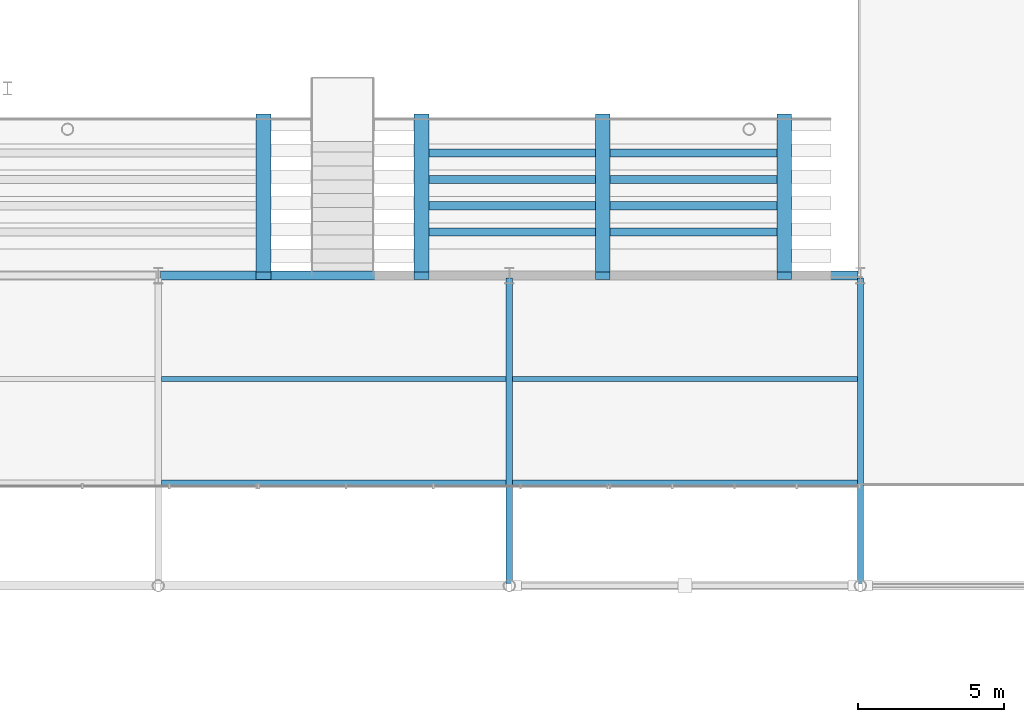
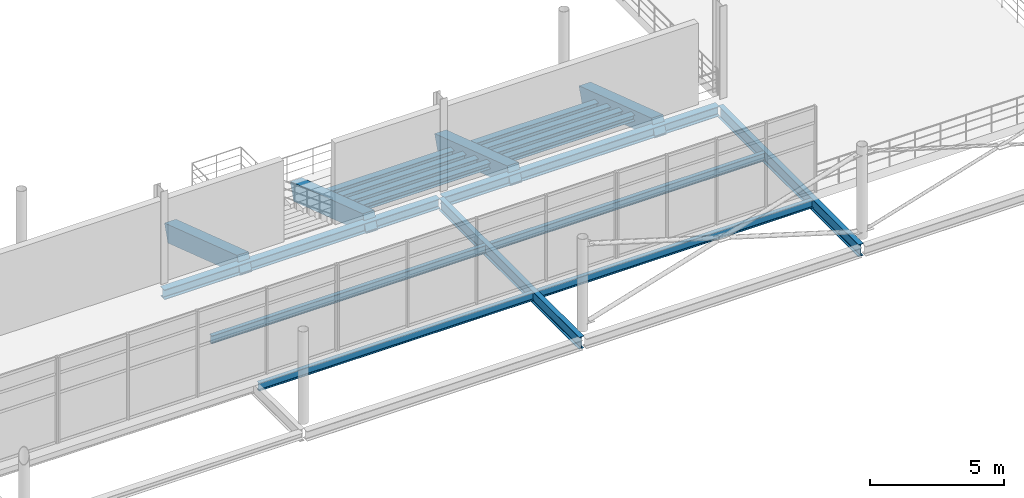
# One storey, part 32 of 89: 16 beams.
"""IFC4 building model written with IfcOpenShell, lengths in metres."""

import ifcopenshell
import ifcopenshell.guid

model = None  # the IFC model being written
_history = None  # IfcOwnerHistory: only IFC2X3 demands one
_inside = {}  # id of a spatial element -> (the spatial element, [elements in it])
_under = {}  # id of a project, library or spatial element -> (it, [spatial elements below it])
_declared = {}  # id of a project -> (the project, [libraries it declares])
_typed = {}  # id of a type object -> (the type object, [elements of that type])
_made_of = {}  # id of a material, layer set ... -> (it, [elements and type objects made of it])


def new_model(schema):
    """Start an empty IFC model of exactly this schema.

    Asked for "IFC4X3", IfcOpenShell would pick the latest addendum, in which some entities
    have other attributes; the version numbers below select the first issue.
    IFC2X3 requires an IfcOwnerHistory on every rooted entity: one is made here for all.
    """
    global model, _history
    if schema == "IFC4X3":
        model = ifcopenshell.file(schema_version=(4, 3, 0, 0))
    else:
        model = ifcopenshell.file(schema=schema)
    _inside.clear()
    _under.clear()
    _declared.clear()
    _typed.clear()
    _made_of.clear()
    _history = None
    if model.schema == "IFC2X3":
        org = make("IfcOrganization", Name="unknown")
        user = make(
            "IfcPersonAndOrganization",
            ThePerson=make("IfcPerson", FamilyName="unknown"),
            TheOrganization=org,
        )
        app = make(
            "IfcApplication",
            ApplicationDeveloper=org,
            Version="unknown",
            ApplicationFullName="unknown",
            ApplicationIdentifier="unknown",
        )
        _history = make(
            "IfcOwnerHistory",
            OwningUser=user,
            OwningApplication=app,
            ChangeAction="ADDED",
            CreationDate=0,
        )
    return model


def make(cls, **values):
    """One entity of the class cls with the attributes given. An attribute that is None is left unset."""
    return model.create_entity(
        cls, **{name: value for name, value in values.items() if value is not None}
    )


def rooted(cls, **values):
    """An entity with a GlobalId (a new one), such as an element, a storey or a relation."""
    return make(cls, GlobalId=ifcopenshell.guid.new(), OwnerHistory=_history, **values)


def si_unit(unit_type, name, prefix=None):
    """IfcSIUnit, for example si_unit("LENGTHUNIT", "METRE", prefix="MILLI")."""
    return make("IfcSIUnit", UnitType=unit_type, Prefix=prefix, Name=name)


def assignment(units):
    """IfcUnitAssignment: the units of a project."""
    return None if units is None else make("IfcUnitAssignment", Units=units)


def point(xyz):
    """IfcCartesianPoint."""
    return None if xyz is None else make("IfcCartesianPoint", Coordinates=xyz)


def direction(xyz):
    """IfcDirection."""
    return None if xyz is None else make("IfcDirection", DirectionRatios=xyz)


def frame(location, z_axis=None, x_axis=None):
    """IfcAxis2Placement3D, a coordinate frame: its origin and axes. An axis left out is left unset."""
    return make(
        "IfcAxis2Placement3D",
        Location=point(location),
        Axis=direction(z_axis),
        RefDirection=direction(x_axis),
    )


def frame_2d(location, x_axis=None):
    """IfcAxis2Placement2D, a coordinate frame in the plane: its origin and x axis."""
    return make(
        "IfcAxis2Placement2D", Location=point(location), RefDirection=direction(x_axis)
    )


def origin():
    """The frame at (0, 0, 0) with its axes left unset."""
    return frame((0.0, 0.0, 0.0))


def origin_2d():
    """The frame at (0, 0) in the plane with its x axis left unset."""
    return frame_2d((0.0, 0.0))


def place(relative_to, where):
    """IfcLocalPlacement: puts the frame where relative to a parent placement (None: the world)."""
    return make(
        "IfcLocalPlacement", PlacementRelTo=relative_to, RelativePlacement=where
    )


def context(
    kind, dimensions, precision=None, world=None, true_north=None, identifier=None
):
    """IfcGeometricRepresentationContext, for example the 3D "Model" context."""
    return make(
        "IfcGeometricRepresentationContext",
        ContextIdentifier=identifier,
        ContextType=kind,
        CoordinateSpaceDimension=dimensions,
        Precision=precision,
        WorldCoordinateSystem=world,
        TrueNorth=true_north,
    )


def subcontext(parent, identifier, kind, view, scale=None):
    """IfcGeometricRepresentationSubContext, for example "Body" below "Model"."""
    return make(
        "IfcGeometricRepresentationSubContext",
        ContextIdentifier=identifier,
        ContextType=kind,
        ParentContext=parent,
        TargetScale=scale,
        TargetView=view,
    )


def project(units=None, contexts=None):
    """IfcProject with its units and contexts."""
    return rooted(
        "IfcProject",
        Name="project",
        RepresentationContexts=contexts,
        UnitsInContext=assignment(units),
    )


def spatial(cls, under=None, at=None, **own):
    """A site, building, storey or space (cls), placed at a placement, below another one or the project."""
    s = rooted(cls, ObjectPlacement=at, **own)
    if under is not None:
        _under.setdefault(under.id(), (under, []))[1].append(s)
    return s


def profile(cls, at=None, kind="AREA", **sizes):
    """A parametric profile (cls). Its sizes go by their IFC names, for example OverallWidth=200.0."""
    return make(cls, ProfileType=kind, Position=at, **sizes)


def rectangle(**sizes):
    """IfcRectangleProfileDef."""
    return profile("IfcRectangleProfileDef", **sizes)


def i_section(**sizes):
    """IfcIShapeProfileDef."""
    return profile("IfcIShapeProfileDef", **sizes)


def extrude(swept, where, along, depth):
    """IfcExtrudedAreaSolid: the profile swept, set in the frame where, extruded along a direction by depth."""
    return make(
        "IfcExtrudedAreaSolid",
        SweptArea=swept,
        Position=where,
        ExtrudedDirection=direction(along),
        Depth=depth,
    )


def shape(context_of_items, identifier, shape_type, items):
    """IfcShapeRepresentation: the items that make up one representation, for example the "Body"."""
    return make(
        "IfcShapeRepresentation",
        ContextOfItems=context_of_items,
        RepresentationIdentifier=identifier,
        RepresentationType=shape_type,
        Items=items,
    )


def material(Name=None, Category=None):
    """IfcMaterial."""
    return make("IfcMaterial", Name=Name, Category=Category)


def material_profile(
    of_material, cross_section, Name=None, Category=None, Priority=None
):
    """IfcMaterialProfile: a cross section and its material."""
    return make(
        "IfcMaterialProfile",
        Name=Name,
        Material=of_material,
        Profile=cross_section,
        Priority=Priority,
        Category=Category,
    )


def profile_set(profiles, Name=None, composite=None):
    """IfcMaterialProfileSet."""
    return make(
        "IfcMaterialProfileSet",
        Name=Name,
        MaterialProfiles=profiles,
        CompositeProfile=composite,
    )


def made_of(thing, what):
    """Note that an element or type object is made of a material, layer set ...; save() writes the relation."""
    if what is not None:
        _made_of.setdefault(what.id(), (what, []))[1].append(thing)
    return thing


def type_object(cls, material=None, **own):
    """A type object (cls), such as IfcWallType, which elements share."""
    return made_of(rooted(cls, **own), material)


def element(
    cls,
    number,
    at=None,
    inside=None,
    cuts=None,
    type_object=None,
    material=None,
    context=None,
    identifier="Body",
    shape_type=None,
    held_by="IfcProductDefinitionShape",
    body=None,
    shapes=None,
    **own,
):
    """One element of the class cls, such as IfcWall. Its Tag is "e" and its number.

    at: its placement. inside: the storey or other place that contains it. cuts: it is an
    opening in that element (IfcRelVoidsElement). A single representation is given by context,
    identifier, shape_type and body (its items); several are given by shapes. held_by: the class
    of the entity that holds the representations. save() writes the other relations.
    """
    e = rooted(cls, Tag="e%d" % number, ObjectPlacement=at, **own)
    if body is not None:
        shapes = [shape(context, identifier, shape_type, body)]
    if shapes is not None:
        e.Representation = make(held_by, Representations=shapes)
    if inside is not None:
        _inside.setdefault(inside.id(), (inside, []))[1].append(e)
    if cuts is not None:
        rooted(
            "IfcRelVoidsElement", RelatingBuildingElement=cuts, RelatedOpeningElement=e
        )
    if type_object is not None:
        _typed.setdefault(type_object.id(), (type_object, []))[1].append(e)
    return made_of(e, material)


def aggregate(whole, parts):
    """IfcRelAggregates: a whole, such as a stair, and the parts it consists of."""
    return rooted("IfcRelAggregates", RelatingObject=whole, RelatedObjects=parts)


def save(model, path):
    """Write the relations noted so far, then the file.

    IfcRelAggregates (storeys below a building ...), IfcRelContainedInSpatialStructure (elements
    in a storey), IfcRelDefinesByType, IfcRelAssociatesMaterial and IfcRelDeclares: one each for
    every whole, place, type object, material and project.
    """
    for whole, parts in _under.values():
        aggregate(whole, parts)
    for where, things in _inside.values():
        rooted(
            "IfcRelContainedInSpatialStructure",
            RelatedElements=things,
            RelatingStructure=where,
        )
    for kind, things in _typed.values():
        rooted("IfcRelDefinesByType", RelatedObjects=things, RelatingType=kind)
    for what, things in _made_of.values():
        rooted("IfcRelAssociatesMaterial", RelatedObjects=things, RelatingMaterial=what)
    for by, libraries in _declared.values():
        rooted("IfcRelDeclares", RelatingContext=by, RelatedDefinitions=libraries)
    model.write(path)


model = new_model("IFC4")

# Units and contexts
model_context = context("Model", 3, precision=1e-05, world=origin(), true_north=direction((0.0, 1.0)))
body_context = subcontext(model_context, "Body", "Model", "MODEL_VIEW")
ifc_project = project(units=[si_unit("LENGTHUNIT", "METRE"), si_unit("AREAUNIT", "SQUARE_METRE"), si_unit("VOLUMEUNIT", "CUBIC_METRE"), si_unit("PLANEANGLEUNIT", "RADIAN"), si_unit("MASSUNIT", "GRAM", prefix="KILO"), si_unit("THERMODYNAMICTEMPERATUREUNIT", "KELVIN"), si_unit("POWERUNIT", "WATT")], contexts=[model_context])

# Site, building, storey
site_placement = place(None, origin())
site = spatial("IfcSite", under=ifc_project, at=site_placement, CompositionType="ELEMENT")
building_placement = place(site_placement, origin())
building = spatial("IfcBuilding", under=site, at=building_placement, Name="Solmara Park Aquatics Centre", CompositionType="ELEMENT")
storey_placement = place(building_placement, frame((0.0, 0.0, 5.39990234375)))
storey = spatial("IfcBuildingStorey", under=building, at=storey_placement, Name="L01", CompositionType="ELEMENT", Elevation=5.39990234375)

# Beams
ifc_material_1 = material(Name="Structural Steel S355", Category="steel")
ifc_material_profile_1 = material_profile(ifc_material_1, i_section(OverallWidth=0.280029296875, OverallDepth=0.27001953125, WebThickness=0.008056640625, FlangeThickness=0.012939453125, FilletRadius=0.02392578125, at=origin_2d()), Name="HEA 280")
ifc_profile_set_1 = profile_set([ifc_material_profile_1], Name="Structural Steel S355")
beam_type_1 = type_object("IfcBeamType", Name="STR-BM-HEA280", PredefinedType="BEAM", material=ifc_profile_set_1)
for number, where, z_axis, x_axis, name in (
    (1, (69.60009765625, 27.385009765625, -1.954833984375), (1.0, 0.0, 0.0), (0.0, 1.0, 0.0), "Lower Stand Cross-Tie Girder S3 Row 2"),
    (2, (69.60009765625, 26.485107421875, -1.594970703125), (1.0, 0.0, 0.0), (0.0, 1.0, 0.0), "Lower Stand Cross-Tie Girder S3 Row 3"),
    (3, (69.60009765625, 25.5849609375, -1.23486328125), (1.0, 0.0, 0.0), (0.0, 1.0, 0.0), "Lower Stand Cross-Tie Girder S3 Row 4"),
    (4, (69.60009765625, 24.68505859375, -0.875), (1.0, 0.0, 0.0), (0.0, 1.0, 0.0), "Lower Stand Cross-Tie Girder S3 Row 5"),
):
    element("IfcBeam", number, at=place(storey_placement, frame(where, z_axis=z_axis, x_axis=x_axis)), inside=storey, type_object=beam_type_1, Name=name, PredefinedType="BEAM", context=body_context, shape_type="SweptSolid", body=[
        extrude(i_section(OverallWidth=0.280029296875, OverallDepth=0.27001953125, WebThickness=0.008056640625, FlangeThickness=0.012939453125, FilletRadius=0.02392578125, at=origin_2d()), origin(), (0.0, 0.0, 1.0), 12.39990234375),
    ])
ifc_material_profile_2 = material_profile(ifc_material_1, i_section(OverallWidth=0.300048828125, OverallDepth=0.449951171875, WebThickness=0.013916015625, FlangeThickness=0.02587890625, FilletRadius=0.027099609375, at=origin_2d()), Name="HEB 450")
ifc_profile_set_2 = profile_set([ifc_material_profile_2], Name="Structural Steel S355")
beam_type_2 = type_object("IfcBeamType", Name="STR-BM-HEB450", PredefinedType="BEAM", material=ifc_profile_set_2)
for number, where, z_axis, x_axis, name in (
    (5, (60.679931640625, 23.199951171875, -0.625), (1.0, 0.0, 0.0), (0.0, 1.0, 0.0), "Girder BM-L01-0175"),
    (6, (72.679931640625, 23.199951171875, -0.625), (1.0, 0.0, 0.0), (0.0, 1.0, 0.0), "Girder BM-L01-0176"),
):
    element("IfcBeam", number, at=place(storey_placement, frame(where, z_axis=z_axis, x_axis=x_axis)), inside=storey, type_object=beam_type_2, Name=name, PredefinedType="BEAM", context=body_context, shape_type="SweptSolid", body=[
        extrude(i_section(OverallWidth=0.300048828125, OverallDepth=0.449951171875, WebThickness=0.013916015625, FlangeThickness=0.02587890625, FilletRadius=0.027099609375, at=origin_2d()), origin(), (0.0, 0.0, 1.0), 11.840087890625),
    ])
ifc_material_profile_3 = material_profile(ifc_material_1, i_section(OverallWidth=0.2099609375, OverallDepth=0.550048828125, WebThickness=0.010986328125, FlangeThickness=0.01708984375, FilletRadius=0.02392578125, at=origin_2d()), Name="IPE 550")
ifc_profile_set_3 = profile_set([ifc_material_profile_3], Name="Structural Steel S355")
beam_type_3 = type_object("IfcBeamType", Name="STR-BM-IPE550", PredefinedType="BEAM", material=ifc_profile_set_3)
for number, where, z_axis, x_axis, name in (
    (7, (72.60009765625, 12.679931640625, -0.6748046875), (0.0, 1.0, 0.0), (-1.0, 0.0, 0.0), "Girder BM-L01-0197"),
    (8, (84.60009765625, 12.679931640625, -0.6748046875), (0.0, 1.0, 0.0), (-1.0, 0.0, 0.0), "Girder BM-L01-0199"),
):
    element("IfcBeam", number, at=place(storey_placement, frame(where, z_axis=z_axis, x_axis=x_axis)), inside=storey, type_object=beam_type_3, Name=name, PredefinedType="BEAM", context=body_context, shape_type="SweptSolid", body=[
        extrude(i_section(OverallWidth=0.2099609375, OverallDepth=0.550048828125, WebThickness=0.010986328125, FlangeThickness=0.01708984375, FilletRadius=0.02392578125, at=origin_2d()), origin(), (0.0, 0.0, 1.0), 10.440185546875),
    ])
ifc_material_profile_4 = material_profile(ifc_material_1, i_section(OverallWidth=0.169921875, OverallDepth=0.360107421875, WebThickness=0.008056640625, FlangeThickness=0.0126953125, FilletRadius=0.01806640625, at=origin_2d()), Name="IPE 360")
ifc_profile_set_4 = profile_set([ifc_material_profile_4], Name="Structural Steel S355")
beam_type_4 = type_object("IfcBeamType", Name="STR-JST-IPE360", PredefinedType="JOIST", material=ifc_profile_set_4)
for number, where, z_axis, x_axis, name in (
    (9, (60.705078125, 16.13330078125, -0.579833984375), (1.0, 0.0, 0.0), (0.0, 1.0, 0.0), "Floor Joist JST-L01-0116"),
    (10, (60.705078125, 19.666748046875, -0.579833984375), (1.0, 0.0, 0.0), (0.0, 1.0, 0.0), "Floor Joist JST-L01-0117"),
    (11, (72.705078125, 16.13330078125, -0.579833984375), (1.0, 0.0, 0.0), (0.0, 1.0, 0.0), "Floor Joist JST-L01-0120"),
    (12, (72.705078125, 19.666748046875, -0.579833984375), (1.0, 0.0, 0.0), (0.0, 1.0, 0.0), "Floor Joist JST-L01-0121"),
):
    element("IfcBeam", number, at=place(storey_placement, frame(where, z_axis=z_axis, x_axis=x_axis)), inside=storey, type_object=beam_type_4, Name=name, PredefinedType="JOIST", context=body_context, shape_type="SweptSolid", body=[
        extrude(i_section(OverallWidth=0.169921875, OverallDepth=0.360107421875, WebThickness=0.008056640625, FlangeThickness=0.0126953125, FilletRadius=0.01806640625, at=origin_2d()), origin(), (0.0, 0.0, 1.0), 11.7900390625),
    ])
ifc_material_2 = material(Name="Concrete C40/50", Category="concrete")
ifc_material_profile_5 = material_profile(ifc_material_2, rectangle(XDim=0.5, YDim=0.800048828125, at=origin_2d()), Name="RC 500x800")
ifc_profile_set_5 = profile_set([ifc_material_profile_5], Name="Concrete C40/50")
beam_type_5 = type_object("IfcBeamType", Name="STR-RKR-RC500x800", PredefinedType="USERDEFINED", material=ifc_profile_set_5)
for number, where, z_axis, x_axis, name in (
    (13, (64.199951171875, 28.60009765625, -2.31982421875), (0.0, -0.948696164431, 0.316189164256), (1.0, 0.0, 0.0), "Spectator Stand RAKER Girder RKR-015"),
    (14, (69.60009765625, 28.60009765625, -2.31982421875), (0.0, -0.948696164431, 0.316189164256), (1.0, 0.0, 0.0), "Spectator Stand RAKER Girder RKR-016"),
    (15, (75.800048828125, 28.60009765625, -2.31982421875), (0.0, -0.948696164431, 0.316189164256), (1.0, 0.0, 0.0), "Spectator Stand RAKER Girder RKR-017"),
    (16, (82.0, 28.60009765625, -2.31982421875), (0.0, -0.948696164431, 0.316189164256), (1.0, 0.0, 0.0), "Spectator Stand RAKER Girder RKR-018"),
):
    element("IfcBeam", number, at=place(storey_placement, frame(where, z_axis=z_axis, x_axis=x_axis)), inside=storey, type_object=beam_type_5, Name=name, ObjectType="RAKER", PredefinedType="USERDEFINED", context=body_context, shape_type="SweptSolid", body=[
        extrude(rectangle(XDim=0.5, YDim=0.800048828125, at=origin_2d()), origin(), (0.0, 0.0, 1.0), 5.692138671875),
    ])

save(model, "model.ifc")
